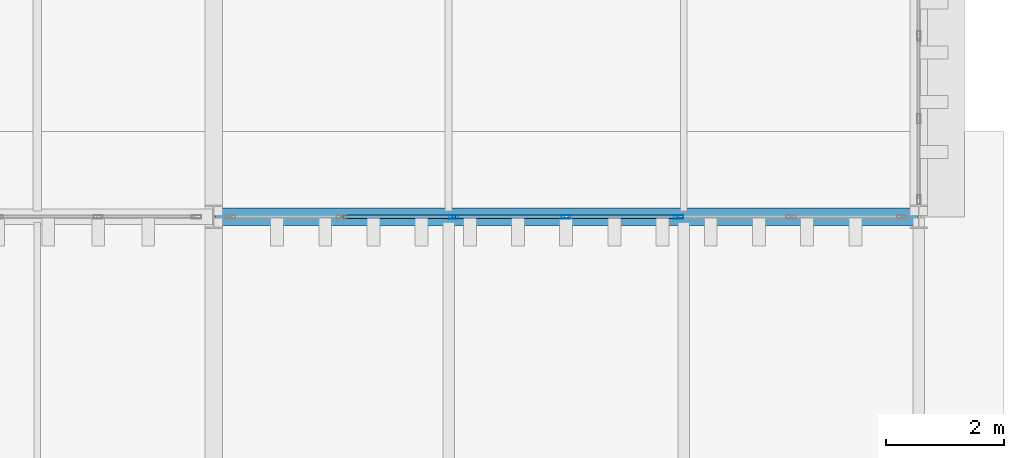
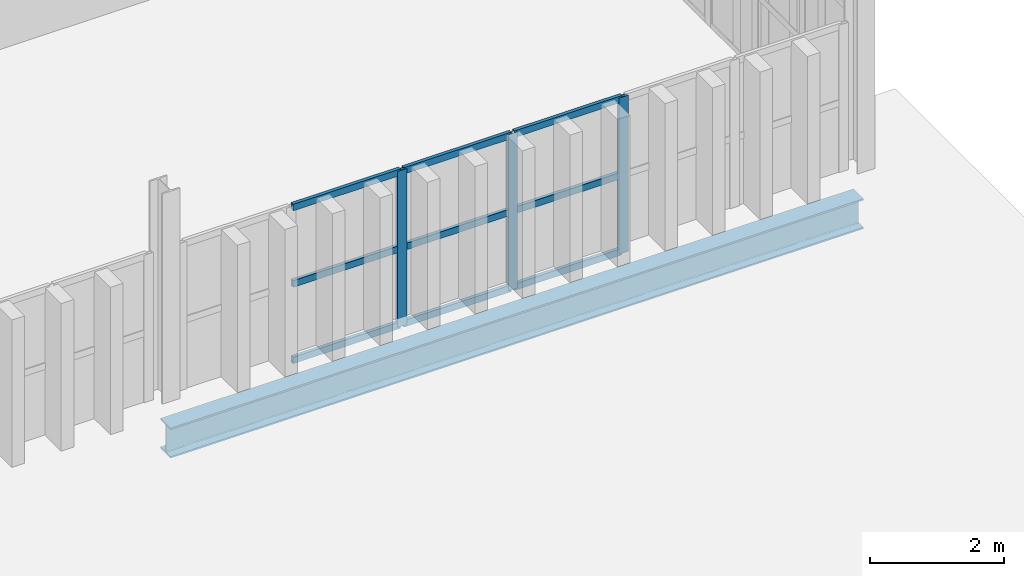
# One storey, part 30 of 102: 12 members, 1 beam, 1 element without a shape of its own.
"""IFC4 building model written with IfcOpenShell, lengths in metres."""

from ifc_helpers import new_model, si_unit, direction, frame, origin, origin_2d, place, context, subcontext, project, spatial, hollow_rectangle, i_section, extrude, material, layer, layer_set, material_profile, profile_set, type_object, element, aggregate, save


model = new_model("IFC4")

# Units and contexts
model_context = context("Model", 3, precision=1e-05, world=origin(), true_north=direction((0.0, 1.0)))
body_context = subcontext(model_context, "Body", "Model", "MODEL_VIEW")
ifc_project = project(units=[si_unit("LENGTHUNIT", "METRE"), si_unit("AREAUNIT", "SQUARE_METRE"), si_unit("VOLUMEUNIT", "CUBIC_METRE"), si_unit("PLANEANGLEUNIT", "RADIAN"), si_unit("MASSUNIT", "GRAM", prefix="KILO")], contexts=[model_context])

# Site, building, storey
site_placement = place(None, origin())
site = spatial("IfcSite", under=ifc_project, at=site_placement, CompositionType="ELEMENT")
building_placement = place(site_placement, origin())
building = spatial("IfcBuilding", under=site, at=building_placement, Name="Barlavento Convention Centre", CompositionType="ELEMENT")
storey_placement = place(building_placement, frame((0.0, 0.0, 22.800048828125)))
storey = spatial("IfcBuildingStorey", under=building, at=storey_placement, Name="L04", CompositionType="ELEMENT", Elevation=22.800048828125)

# Curtain wall, members
ifc_material_1 = material(Name="Powder-coated aluminium and Low-E glass", Category="aluminium")
ifc_layer = layer(ifc_material_1, 0.18505859375)
ifc_layer_set = layer_set([ifc_layer], Name="ARC-CW-CONF-L04")
curtain_wall_type = type_object("IfcCurtainWallType", Name="ARC-CW-CONF-L04", PredefinedType="NOTDEFINED", material=ifc_layer_set)
curtain_wall_placement = place(storey_placement, origin())
curtain_wall = element("IfcCurtainWall", 1, at=curtain_wall_placement, inside=storey, type_object=curtain_wall_type, Name="L04 unitised curtain wall CW09", PredefinedType="NOTDEFINED")
ifc_material_2 = material(Name="Powder-coated aluminium", Category="aluminium")
ifc_material_profile_1 = material_profile(ifc_material_2, hollow_rectangle(XDim=0.06005859375, YDim=0.159912109375, WallThickness=0.00390625, at=origin_2d()), Name="AL-MULL 60x160x4")
ifc_profile_set_1 = profile_set([ifc_material_profile_1], Name="Powder-coated aluminium")
member_type_1 = type_object("IfcMemberType", Name="ARC-CWM-60X160", PredefinedType="MULLION", material=ifc_profile_set_1)
member_1_placement = place(storey_placement, frame((184.086669921875, 27.0, 0.0), z_axis=(0.0, 0.0, 1.0), x_axis=(0.0, 1.0, 0.0)))
member_1 = element("IfcMember", 2, at=member_1_placement, type_object=member_type_1, Name="CW09 mullion 3", PredefinedType="MULLION", context=body_context, shape_type="SweptSolid", body=[
    extrude(hollow_rectangle(XDim=0.06005859375, YDim=0.159912109375, WallThickness=0.00390625, at=origin_2d()), origin(), (0.0, 0.0, 1.0), 2.849853515625),
])
member_2_placement = place(storey_placement, frame((186.0, 27.0, 0.0), z_axis=(0.0, 0.0, 1.0), x_axis=(0.0, 1.0, 0.0)))
member_2 = element("IfcMember", 3, at=member_2_placement, type_object=member_type_1, Name="CW09 mullion 4", PredefinedType="MULLION", context=body_context, shape_type="SweptSolid", body=[
    extrude(hollow_rectangle(XDim=0.06005859375, YDim=0.159912109375, WallThickness=0.00390625, at=origin_2d()), origin(), (0.0, 0.0, 1.0), 2.849853515625),
])
member_3_placement = place(storey_placement, frame((187.913330078125, 27.0, 0.0), z_axis=(0.0, 0.0, 1.0), x_axis=(0.0, 1.0, 0.0)))
member_3 = element("IfcMember", 4, at=member_3_placement, type_object=member_type_1, Name="CW09 mullion 5", PredefinedType="MULLION", context=body_context, shape_type="SweptSolid", body=[
    extrude(hollow_rectangle(XDim=0.06005859375, YDim=0.159912109375, WallThickness=0.00390625, at=origin_2d()), origin(), (0.0, 0.0, 1.0), 2.849853515625),
])
ifc_material_profile_2 = material_profile(ifc_material_2, hollow_rectangle(XDim=0.06005859375, YDim=0.1201171875, WallThickness=0.00390625, at=origin_2d()), Name="AL-TRAN 60x120x4")
ifc_profile_set_2 = profile_set([ifc_material_profile_2], Name="Powder-coated aluminium")
member_type_2 = type_object("IfcMemberType", Name="ARC-CWT-60X120", PredefinedType="USERDEFINED", material=ifc_profile_set_2)
member_4_placement = place(storey_placement, frame((182.203369140625, 27.0, 0.030029296875), z_axis=(1.0, 0.0, 0.0), x_axis=(0.0, 1.0, 0.0)))
member_4 = element("IfcMember", 5, at=member_4_placement, type_object=member_type_2, Name="CW09 transom 2.1", ObjectType="TRANSOM", PredefinedType="USERDEFINED", context=body_context, shape_type="SweptSolid", body=[
    extrude(hollow_rectangle(XDim=0.06005859375, YDim=0.1201171875, WallThickness=0.00390625, at=origin_2d()), origin(), (0.0, 0.0, 1.0), 1.853271484375),
])
member_5_placement = place(storey_placement, frame((182.203369140625, 27.0, 1.425048828125), z_axis=(1.0, 0.0, 0.0), x_axis=(0.0, 1.0, 0.0)))
member_5 = element("IfcMember", 6, at=member_5_placement, type_object=member_type_2, Name="CW09 transom 2.2", ObjectType="TRANSOM", PredefinedType="USERDEFINED", context=body_context, shape_type="SweptSolid", body=[
    extrude(hollow_rectangle(XDim=0.06005859375, YDim=0.1201171875, WallThickness=0.00390625, at=origin_2d()), origin(), (0.0, 0.0, 1.0), 1.853271484375),
])
member_6_placement = place(storey_placement, frame((182.203369140625, 27.0, 2.820068359375), z_axis=(1.0, 0.0, 0.0), x_axis=(0.0, 1.0, 0.0)))
member_6 = element("IfcMember", 7, at=member_6_placement, type_object=member_type_2, Name="CW09 transom 2.3", ObjectType="TRANSOM", PredefinedType="USERDEFINED", context=body_context, shape_type="SweptSolid", body=[
    extrude(hollow_rectangle(XDim=0.06005859375, YDim=0.1201171875, WallThickness=0.00390625, at=origin_2d()), origin(), (0.0, 0.0, 1.0), 1.853271484375),
])
member_7_placement = place(storey_placement, frame((184.11669921875, 27.0, 0.030029296875), z_axis=(1.0, 0.0, 0.0), x_axis=(0.0, 1.0, 0.0)))
member_7 = element("IfcMember", 8, at=member_7_placement, type_object=member_type_2, Name="CW09 transom 3.1", ObjectType="TRANSOM", PredefinedType="USERDEFINED", context=body_context, shape_type="SweptSolid", body=[
    extrude(hollow_rectangle(XDim=0.06005859375, YDim=0.1201171875, WallThickness=0.00390625, at=origin_2d()), origin(), (0.0, 0.0, 1.0), 1.853271484375),
])
member_8_placement = place(storey_placement, frame((184.11669921875, 27.0, 1.425048828125), z_axis=(1.0, 0.0, 0.0), x_axis=(0.0, 1.0, 0.0)))
member_8 = element("IfcMember", 9, at=member_8_placement, type_object=member_type_2, Name="CW09 transom 3.2", ObjectType="TRANSOM", PredefinedType="USERDEFINED", context=body_context, shape_type="SweptSolid", body=[
    extrude(hollow_rectangle(XDim=0.06005859375, YDim=0.1201171875, WallThickness=0.00390625, at=origin_2d()), origin(), (0.0, 0.0, 1.0), 1.853271484375),
])
member_9_placement = place(storey_placement, frame((184.11669921875, 27.0, 2.820068359375), z_axis=(1.0, 0.0, 0.0), x_axis=(0.0, 1.0, 0.0)))
member_9 = element("IfcMember", 10, at=member_9_placement, type_object=member_type_2, Name="CW09 transom 3.3", ObjectType="TRANSOM", PredefinedType="USERDEFINED", context=body_context, shape_type="SweptSolid", body=[
    extrude(hollow_rectangle(XDim=0.06005859375, YDim=0.1201171875, WallThickness=0.00390625, at=origin_2d()), origin(), (0.0, 0.0, 1.0), 1.853271484375),
])
member_10_placement = place(storey_placement, frame((186.030029296875, 27.0, 0.030029296875), z_axis=(1.0, 0.0, 0.0), x_axis=(0.0, 1.0, 0.0)))
member_10 = element("IfcMember", 11, at=member_10_placement, type_object=member_type_2, Name="CW09 transom 4.1", ObjectType="TRANSOM", PredefinedType="USERDEFINED", context=body_context, shape_type="SweptSolid", body=[
    extrude(hollow_rectangle(XDim=0.06005859375, YDim=0.1201171875, WallThickness=0.00390625, at=origin_2d()), origin(), (0.0, 0.0, 1.0), 1.853271484375),
])
member_11_placement = place(storey_placement, frame((186.030029296875, 27.0, 1.425048828125), z_axis=(1.0, 0.0, 0.0), x_axis=(0.0, 1.0, 0.0)))
member_11 = element("IfcMember", 12, at=member_11_placement, type_object=member_type_2, Name="CW09 transom 4.2", ObjectType="TRANSOM", PredefinedType="USERDEFINED", context=body_context, shape_type="SweptSolid", body=[
    extrude(hollow_rectangle(XDim=0.06005859375, YDim=0.1201171875, WallThickness=0.00390625, at=origin_2d()), origin(), (0.0, 0.0, 1.0), 1.853271484375),
])
member_12_placement = place(storey_placement, frame((186.030029296875, 27.0, 2.820068359375), z_axis=(1.0, 0.0, 0.0), x_axis=(0.0, 1.0, 0.0)))
member_12 = element("IfcMember", 13, at=member_12_placement, type_object=member_type_2, Name="CW09 transom 4.3", ObjectType="TRANSOM", PredefinedType="USERDEFINED", context=body_context, shape_type="SweptSolid", body=[
    extrude(hollow_rectangle(XDim=0.06005859375, YDim=0.1201171875, WallThickness=0.00390625, at=origin_2d()), origin(), (0.0, 0.0, 1.0), 1.853271484375),
])
aggregate(curtain_wall, [member_1, member_2, member_3, member_4, member_5, member_6, member_7, member_8, member_9, member_10, member_11, member_12])

# Beam
ifc_material_3 = material(Name="Steel S355", Category="steel")
ifc_material_profile_3 = material_profile(ifc_material_3, i_section(OverallWidth=0.300048828125, OverallDepth=0.550048828125, WebThickness=0.014892578125, FlangeThickness=0.029052734375, FilletRadius=0.027099609375, at=origin_2d()), Name="HEB 550")
ifc_profile_set_3 = profile_set([ifc_material_profile_3], Name="Steel S355")
beam_type = type_object("IfcBeamType", Name="STR-BM-PRI-HEB550", PredefinedType="BEAM", material=ifc_profile_set_3)
beam_placement = place(storey_placement, frame((180.02001953125, 27.0, -0.64013671875), z_axis=(1.0, 0.0, 0.0), x_axis=(0.0, 1.0, 0.0)))
element("IfcBeam", 14, at=beam_placement, inside=storey, type_object=beam_type, Name="L04 primary girder BG08", PredefinedType="BEAM", context=body_context, shape_type="SweptSolid", body=[
    extrude(i_section(OverallWidth=0.300048828125, OverallDepth=0.550048828125, WebThickness=0.014892578125, FlangeThickness=0.029052734375, FilletRadius=0.027099609375, at=origin_2d()), origin(), (0.0, 0.0, 1.0), 11.9599609375),
])

save(model, "model.ifc")
